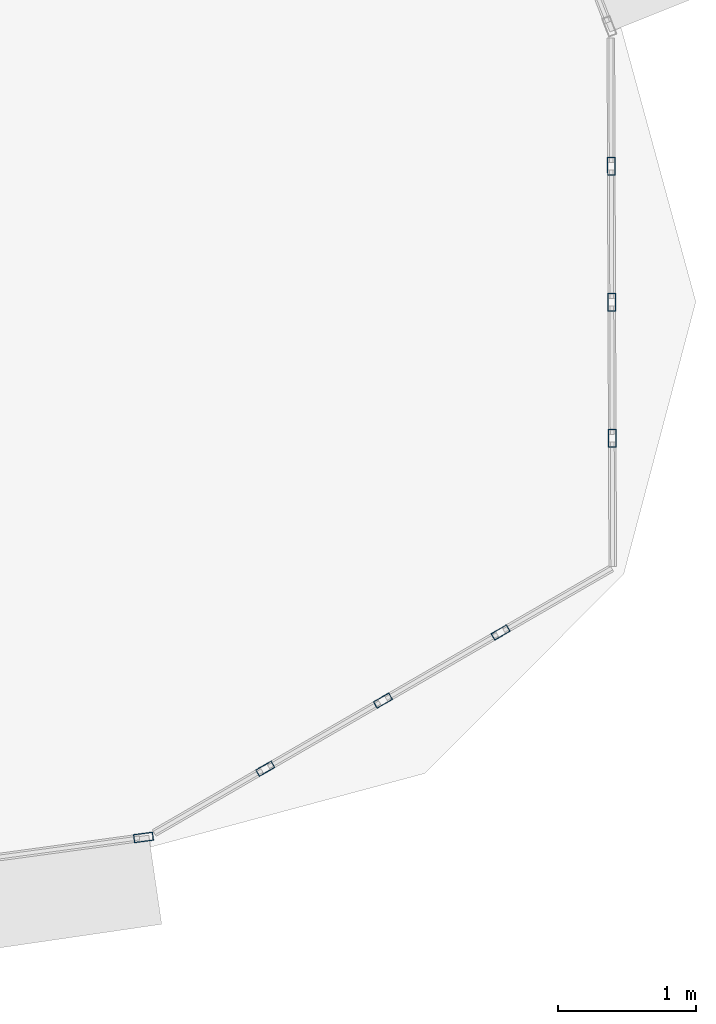
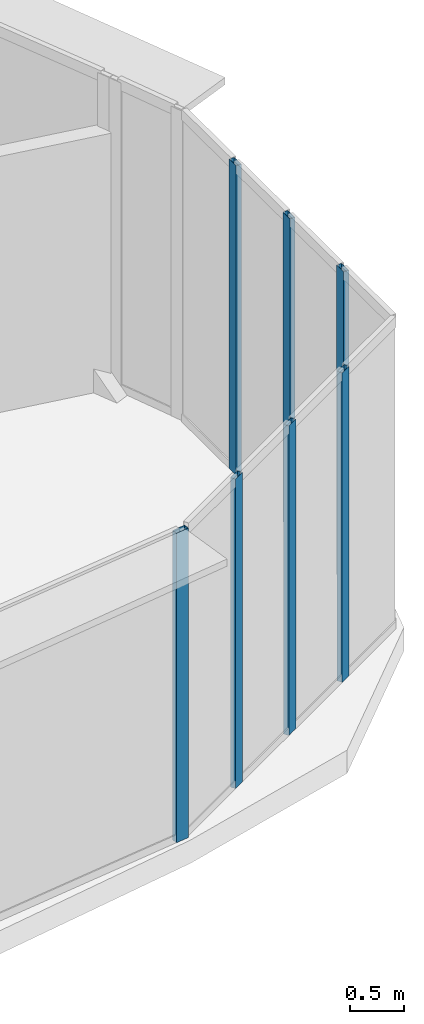
# One storey, part 14 of 40: 7 members, 3 elements without a shape of their own.
"""IFC4 building model written with IfcOpenShell, lengths in metres."""

from ifc_helpers import new_model, si_unit, direction, frame, origin, origin_2d, place, context, subcontext, project, spatial, hollow_rectangle, extrude, source, transform, mapped, material, layer, layer_set, material_profile, profile_set, type_object, element, aggregate, save


model = new_model("IFC4")

# Units and contexts
model_context = context("Model", 3, precision=1e-05, world=origin(), true_north=direction((0.0, 1.0)))
body_context = subcontext(model_context, "Body", "Model", "MODEL_VIEW")
ifc_project = project(units=[si_unit("LENGTHUNIT", "METRE"), si_unit("AREAUNIT", "SQUARE_METRE"), si_unit("VOLUMEUNIT", "CUBIC_METRE"), si_unit("PLANEANGLEUNIT", "RADIAN"), si_unit("MASSUNIT", "GRAM", prefix="KILO"), si_unit("THERMODYNAMICTEMPERATUREUNIT", "KELVIN"), si_unit("POWERUNIT", "WATT")], contexts=[model_context])

# Site, building, storey
site_placement = place(None, origin())
site = spatial("IfcSite", under=ifc_project, at=site_placement, CompositionType="ELEMENT")
building_placement = place(site_placement, origin())
building = spatial("IfcBuilding", under=site, at=building_placement, Name="Yunzhuo Pagoda Commons", CompositionType="ELEMENT")
storey_placement = place(building_placement, frame((0.0, 0.0, 288.75)))
storey = spatial("IfcBuildingStorey", under=building, at=storey_placement, Name="L72", CompositionType="ELEMENT", Elevation=288.75)

# Curtain wall, member
ifc_material = material(Name="Anodized aluminium 6063-T6", Category="aluminium")
ifc_layer_1 = layer(ifc_material, 0.139892578125)
ifc_layer_set_1 = layer_set([ifc_layer_1], Name="Anodized aluminium 6063-T6")
curtain_wall_type_1 = type_object("IfcCurtainWallType", Name="CW-HI High-Zone Ribbon Curtain Wall", PredefinedType="NOTDEFINED", material=ifc_layer_set_1)
curtain_wall_1_placement = place(storey_placement, origin())
curtain_wall_1 = element("IfcCurtainWall", 1, at=curtain_wall_1_placement, inside=storey, type_object=curtain_wall_type_1, Name="L72 curtain wall CW-L72-F1B5", PredefinedType="NOTDEFINED")
ifc_material_profile_1 = material_profile(ifc_material, hollow_rectangle(XDim=0.06005859375, YDim=0.139892578125, WallThickness=0.00341796875, at=origin_2d()), Name="Anodized aluminium 6063-T6")
ifc_profile_set_1 = profile_set([ifc_material_profile_1], Name="Anodized aluminium 6063-T6")
member_type_1 = type_object("IfcMemberType", Name="CW-HI-M Mullion RHS 140x60x3.5", PredefinedType="MULLION", material=ifc_profile_set_1)
shared_shape_1 = source(origin(), body_context, "Body", "SweptSolid", [
    extrude(hollow_rectangle(XDim=0.06005859375, YDim=0.139892578125, WallThickness=0.00341796875, at=origin_2d()), origin(), (0.0, 0.0, 1.0), 3.469970703125),
])
member_1_placement = place(storey_placement, frame((76.270263671875, 21.540283203125, 0.0), z_axis=(0.0, 0.0, 1.0), x_axis=(-0.134853980826, 0.99086548222, 0.0)))
member_1 = element("IfcMember", 2, at=member_1_placement, type_object=member_type_1, Name="CW mullion 2", PredefinedType="MULLION", context=body_context, shape_type="MappedRepresentation", body=[
    mapped(shared_shape_1, transform((0.0, 0.0, 0.0), scale=1.0)),
])
aggregate(curtain_wall_1, [member_1])

# Curtain wall, members
ifc_layer_2 = layer(ifc_material, 0.1298828125)
ifc_layer_set_2 = layer_set([ifc_layer_2], Name="Anodized aluminium 6063-T6")
curtain_wall_type_2 = type_object("IfcCurtainWallType", Name="CW-VTX Rounded Corner Curtain Wall", PredefinedType="NOTDEFINED", material=ifc_layer_set_2)
curtain_wall_2_placement = place(storey_placement, origin())
curtain_wall_2 = element("IfcCurtainWall", 3, at=curtain_wall_2_placement, inside=storey, type_object=curtain_wall_type_2, Name="L72 curtain wall CW-L72-VTX2S1", PredefinedType="NOTDEFINED")
ifc_material_profile_2 = material_profile(ifc_material, hollow_rectangle(XDim=0.054931640625, YDim=0.1298828125, WallThickness=0.00341796875, at=origin_2d()), Name="Anodized aluminium 6063-T6")
ifc_profile_set_2 = profile_set([ifc_material_profile_2], Name="Anodized aluminium 6063-T6")
member_type_2 = type_object("IfcMemberType", Name="CW-VTX-M Mullion RHS 130x55x3.5", PredefinedType="MULLION", material=ifc_profile_set_2)
shared_shape_2 = source(origin(), body_context, "Body", "SweptSolid", [
    extrude(hollow_rectangle(XDim=0.054931640625, YDim=0.1298828125, WallThickness=0.00341796875, at=origin_2d()), origin(), (0.0, 0.0, 1.0), 3.469970703125),
])
member_2_placement = place(storey_placement, frame((77.149658203125, 22.036376953125, 0.0), z_axis=(0.0, 0.0, 1.0), x_axis=(-0.501017201245, 0.86543732532, 0.0)))
member_2 = element("IfcMember", 4, at=member_2_placement, type_object=member_type_2, Name="CW mullion 2", PredefinedType="MULLION", context=body_context, shape_type="MappedRepresentation", body=[
    mapped(shared_shape_2, transform((0.0, 0.0, 0.0), scale=1.0)),
])
member_3_placement = place(storey_placement, frame((77.99951171875, 22.5283203125, 0.0), z_axis=(0.0, 0.0, 1.0), x_axis=(-0.501017201245, 0.86543732532, 0.0)))
member_3 = element("IfcMember", 5, at=member_3_placement, type_object=member_type_2, Name="CW mullion 3", PredefinedType="MULLION", context=body_context, shape_type="MappedRepresentation", body=[
    mapped(shared_shape_2, transform((0.0, 0.0, 0.0), scale=1.0)),
])
member_4_placement = place(storey_placement, frame((78.849365234375, 23.020263671875, 0.0), z_axis=(0.0, 0.0, 1.0), x_axis=(-0.501017201245, 0.86543732532, 0.0)))
member_4 = element("IfcMember", 6, at=member_4_placement, type_object=member_type_2, Name="CW mullion 4", PredefinedType="MULLION", context=body_context, shape_type="MappedRepresentation", body=[
    mapped(shared_shape_2, transform((0.0, 0.0, 0.0), scale=1.0)),
])
aggregate(curtain_wall_2, [member_2, member_3, member_4])

curtain_wall_3_placement = place(storey_placement, origin())
curtain_wall_3 = element("IfcCurtainWall", 7, at=curtain_wall_3_placement, inside=storey, type_object=curtain_wall_type_2, Name="L72 curtain wall CW-L72-VTX2S2", PredefinedType="NOTDEFINED")
member_5_placement = place(storey_placement, frame((79.65576171875, 24.4248046875, 0.0), z_axis=(0.0, 0.0, 1.0), x_axis=(-0.999993556089, -0.003589955472, 0.0)))
member_5 = element("IfcMember", 8, at=member_5_placement, type_object=member_type_2, Name="CW mullion 2", PredefinedType="MULLION", context=body_context, shape_type="MappedRepresentation", body=[
    mapped(shared_shape_2, transform((0.0, 0.0, 0.0), scale=1.0)),
])
member_6_placement = place(storey_placement, frame((79.652099609375, 25.406494140625, 0.0), z_axis=(0.0, 0.0, 1.0), x_axis=(-0.999993556089, -0.003589955472, 0.0)))
member_6 = element("IfcMember", 9, at=member_6_placement, type_object=member_type_2, Name="CW mullion 3", PredefinedType="MULLION", context=body_context, shape_type="MappedRepresentation", body=[
    mapped(shared_shape_2, transform((0.0, 0.0, 0.0), scale=1.0)),
])
member_7_placement = place(storey_placement, frame((79.648681640625, 26.388427734375, 0.0), z_axis=(0.0, 0.0, 1.0), x_axis=(-0.999993556089, -0.003589955472, 0.0)))
member_7 = element("IfcMember", 10, at=member_7_placement, type_object=member_type_2, Name="CW mullion 4", PredefinedType="MULLION", context=body_context, shape_type="MappedRepresentation", body=[
    mapped(shared_shape_2, transform((0.0, 0.0, 0.0), scale=1.0)),
])
aggregate(curtain_wall_3, [member_5, member_6, member_7])

save(model, "model.ifc")
